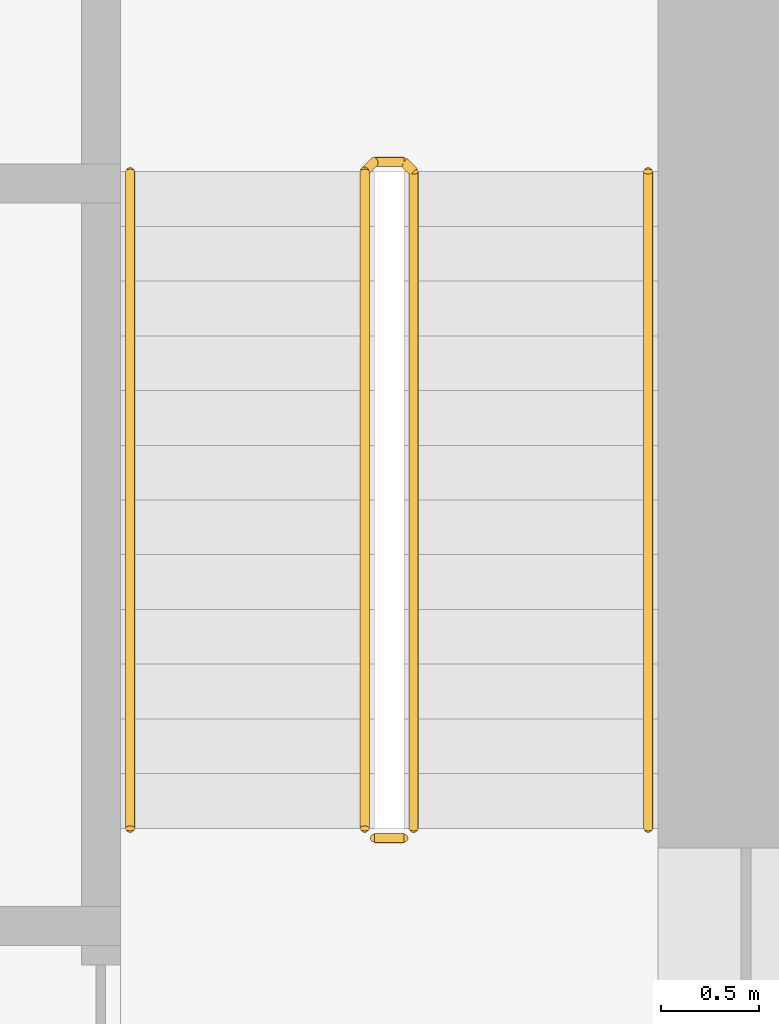
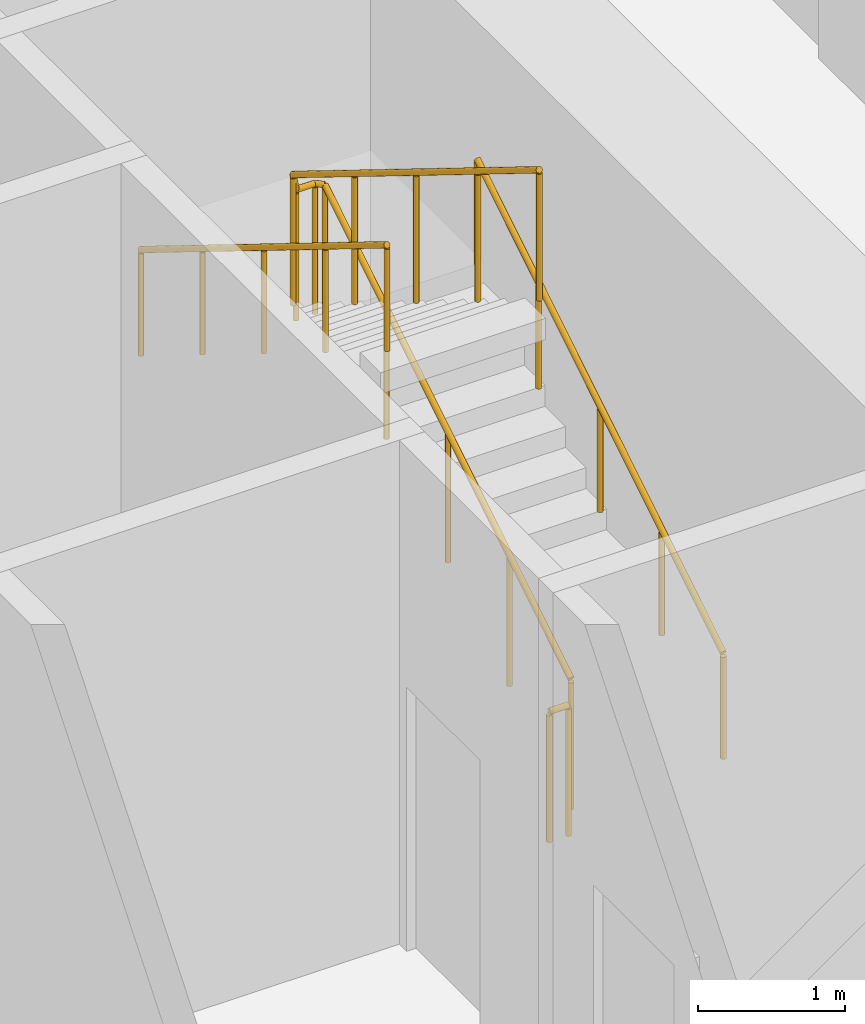
# One storey, part 17 of 18: 4 railings.
"""IFC4 building model written with IfcOpenShell, lengths in metres."""

from ifc_helpers import new_model, si_unit, direction, frame, origin, origin_2d, place, context, subcontext, project, spatial, circle, extrude, material, type_object, element, save


model = new_model("IFC4")

# Units and contexts
model_context = context("Model", 3, precision=1e-05, world=origin(), true_north=direction((0.0, 1.0)))
body_context = subcontext(model_context, "Body", "Model", "MODEL_VIEW")
ifc_project = project(units=[si_unit("LENGTHUNIT", "METRE"), si_unit("AREAUNIT", "SQUARE_METRE"), si_unit("VOLUMEUNIT", "CUBIC_METRE"), si_unit("PLANEANGLEUNIT", "RADIAN"), si_unit("MASSUNIT", "GRAM", prefix="KILO")], contexts=[model_context])

# Site, building, storey
site_placement = place(None, origin())
site = spatial("IfcSite", under=ifc_project, at=site_placement, CompositionType="ELEMENT")
building_placement = place(site_placement, origin())
building = spatial("IfcBuilding", under=site, at=building_placement, Name="Orbiselva Terraces", CompositionType="ELEMENT")
storey_placement = place(building_placement, frame((0.0, 0.0, 10.5)))
storey = spatial("IfcBuildingStorey", under=building, at=storey_placement, Name="L02", CompositionType="ELEMENT", Elevation=10.5)

# Railings
ifc_material = material(Name="Stainless steel", Category="steel")
railing_type_1 = type_object("IfcRailingType", Name="CORE-GUARD-1100", PredefinedType="GUARDRAIL", material=ifc_material)
railing_1_placement = place(storey_placement, frame((11.35, 12.7, 0.173077)))
element("IfcRailing", 1, at=railing_1_placement, inside=storey, type_object=railing_type_1, Name="L02 S2 stair guard 1", PredefinedType="GUARDRAIL", context=body_context, shape_type="SweptSolid", body=[
    extrude(circle(Radius=0.024, at=origin_2d()), frame((0.0, 0.0, 1.081), z_axis=(0.0, 0.850613581029, 0.525791342426), x_axis=(-1.0, 0.0, 0.0)), (0.0, 0.0, 1.0), 3.95009),
    extrude(circle(Radius=0.024, at=origin_2d()), frame((0.0, 3.36, 3.157923), z_axis=(-0.707106781187, 0.707106781187, 0.0), x_axis=(-0.707106781187, -0.707106781187, 0.0)), (0.0, 0.0, 1.0), 0.070711),
    extrude(circle(Radius=0.024, at=origin_2d()), frame((-0.05, 3.41, 3.157923), z_axis=(-1.0, 0.0, 0.0), x_axis=(0.0, -1.0, 0.0)), (0.0, 0.0, 1.0), 0.15),
    extrude(circle(Radius=0.024, at=origin_2d()), frame((-0.2, 3.41, 3.157923), z_axis=(-0.267430740015, -0.267430740015, 0.92572220379), x_axis=(0.707106781187, -0.707106781187, 0.0)), (0.0, 0.0, 1.0), 0.186964),
    extrude(circle(Radius=0.024, at=origin_2d()), frame((-0.25, 3.36, 3.331), z_axis=(0.0, -0.850613581029, 0.525791342426), x_axis=(1.0, 0.0, 0.0)), (0.0, 0.0, 1.0), 3.95009),
    extrude(circle(Radius=0.021, at=origin_2d()), origin(), (0.0, 0.0, 1.0), 1.057),
    extrude(circle(Radius=0.021, at=origin_2d()), frame((0.0, 0.84, 0.519231)), (0.0, 0.0, 1.0), 1.057),
    extrude(circle(Radius=0.021, at=origin_2d()), frame((0.0, 1.68, 1.038462)), (0.0, 0.0, 1.0), 1.057),
    extrude(circle(Radius=0.021, at=origin_2d()), frame((0.0, 2.52, 1.557692)), (0.0, 0.0, 1.0), 1.057),
    extrude(circle(Radius=0.021, at=origin_2d()), frame((0.0, 3.36, 2.076923)), (0.0, 0.0, 1.0), 1.057),
    extrude(circle(Radius=0.021, at=origin_2d()), frame((-0.05, 3.41, 2.076923)), (0.0, 0.0, 1.0), 1.057),
    extrude(circle(Radius=0.021, at=origin_2d()), frame((-0.2, 3.41, 2.076923)), (0.0, 0.0, 1.0), 1.057),
    extrude(circle(Radius=0.021, at=origin_2d()), frame((-0.25, 3.36, 2.25)), (0.0, 0.0, 1.0), 1.057),
    extrude(circle(Radius=0.021, at=origin_2d()), frame((-0.25, 2.52, 2.769231)), (0.0, 0.0, 1.0), 1.057),
    extrude(circle(Radius=0.021, at=origin_2d()), frame((-0.25, 1.68, 3.288462)), (0.0, 0.0, 1.0), 1.057),
    extrude(circle(Radius=0.021, at=origin_2d()), frame((-0.25, 0.84, 3.807692)), (0.0, 0.0, 1.0), 1.057),
    extrude(circle(Radius=0.021, at=origin_2d()), frame((-0.25, 0.0, 4.326923)), (0.0, 0.0, 1.0), 1.057),
])
railing_2_placement = place(storey_placement, frame((11.3, 12.65, 0.0)))
element("IfcRailing", 2, at=railing_2_placement, inside=storey, type_object=railing_type_1, Name="L02 S2 stair guard 2", PredefinedType="GUARDRAIL", context=body_context, shape_type="SweptSolid", body=[
    extrude(circle(Radius=0.024, at=origin_2d()), frame((0.0, 0.0, 1.081), z_axis=(-1.0, 0.0, 0.0), x_axis=(0.0, -1.0, 0.0)), (0.0, 0.0, 1.0), 0.15),
    extrude(circle(Radius=0.021, at=origin_2d()), origin(), (0.0, 0.0, 1.0), 1.057),
    extrude(circle(Radius=0.021, at=origin_2d()), frame((-0.15, 0.0, 0.0)), (0.0, 0.0, 1.0), 1.057),
])
railing_type_2 = type_object("IfcRailingType", Name="CORE-HANDRAIL-900", PredefinedType="HANDRAIL", material=ifc_material)
railing_3_placement = place(storey_placement, frame((12.55, 12.7, 0.173077)))
element("IfcRailing", 3, at=railing_3_placement, inside=storey, type_object=railing_type_2, Name="L02 S2 stair handrail 1", PredefinedType="HANDRAIL", context=body_context, shape_type="SweptSolid", body=[
    extrude(circle(Radius=0.024, at=origin_2d()), frame((0.0, 0.0, 0.876), z_axis=(0.0, 0.850613581029, 0.525791342426), x_axis=(-1.0, 0.0, 0.0)), (0.0, 0.0, 1.0), 3.95009),
    extrude(circle(Radius=0.021, at=origin_2d()), origin(), (0.0, 0.0, 1.0), 0.852),
    extrude(circle(Radius=0.021, at=origin_2d()), frame((0.0, 0.84, 0.519231)), (0.0, 0.0, 1.0), 0.852),
    extrude(circle(Radius=0.021, at=origin_2d()), frame((0.0, 1.68, 1.038462)), (0.0, 0.0, 1.0), 0.852),
    extrude(circle(Radius=0.021, at=origin_2d()), frame((0.0, 2.52, 1.557692)), (0.0, 0.0, 1.0), 0.852),
    extrude(circle(Radius=0.021, at=origin_2d()), frame((0.0, 3.36, 2.076923)), (0.0, 0.0, 1.0), 0.852),
])
railing_4_placement = place(storey_placement, frame((9.9, 16.06, 2.423077)))
element("IfcRailing", 4, at=railing_4_placement, inside=storey, type_object=railing_type_2, Name="L02 S2 stair handrail 2", PredefinedType="HANDRAIL", context=body_context, shape_type="SweptSolid", body=[
    extrude(circle(Radius=0.024, at=origin_2d()), frame((0.0, 0.0, 0.876), z_axis=(0.0, -0.850613581029, 0.525791342426), x_axis=(1.0, 0.0, 0.0)), (0.0, 0.0, 1.0), 3.95009),
    extrude(circle(Radius=0.021, at=origin_2d()), origin(), (0.0, 0.0, 1.0), 0.852),
    extrude(circle(Radius=0.021, at=origin_2d()), frame((0.0, -0.84, 0.519231)), (0.0, 0.0, 1.0), 0.852),
    extrude(circle(Radius=0.021, at=origin_2d()), frame((0.0, -1.68, 1.038462)), (0.0, 0.0, 1.0), 0.852),
    extrude(circle(Radius=0.021, at=origin_2d()), frame((0.0, -2.52, 1.557692)), (0.0, 0.0, 1.0), 0.852),
    extrude(circle(Radius=0.021, at=origin_2d()), frame((0.0, -3.36, 2.076923)), (0.0, 0.0, 1.0), 0.852),
])

save(model, "model.ifc")
